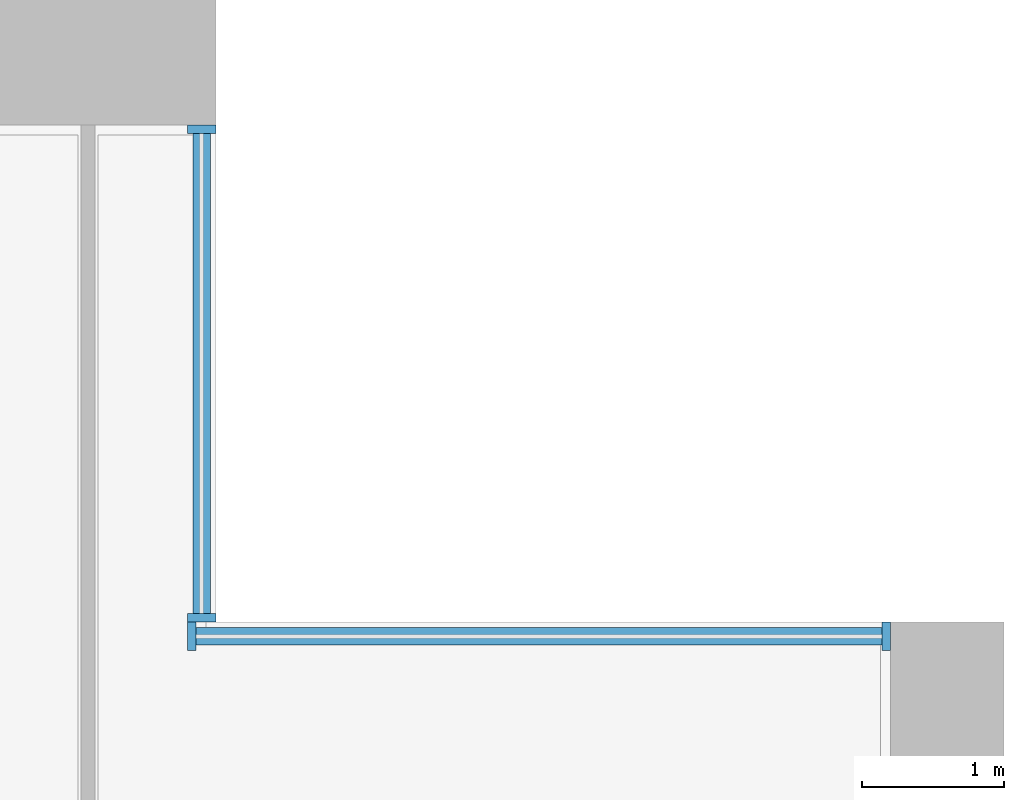
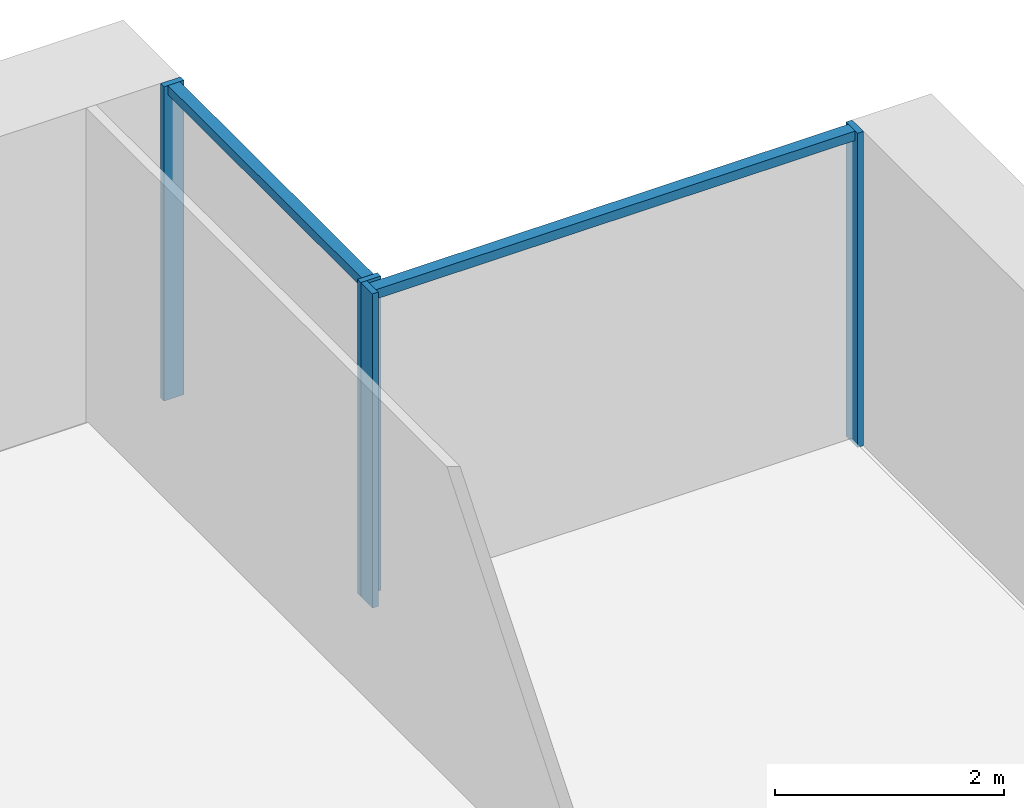
# One storey, part 6 of 18: 6 members, 2 elements without a shape of their own.
"""IFC4 building model written with IfcOpenShell, lengths in metres."""

from ifc_helpers import new_model, si_unit, direction, frame, origin, origin_2d, place, context, subcontext, project, spatial, rectangle, extrude, material, material_profile, profile_set, type_object, element, aggregate, save


model = new_model("IFC4")

# Units and contexts
model_context = context("Model", 3, precision=1e-05, world=origin(), true_north=direction((0.0, 1.0)))
body_context = subcontext(model_context, "Body", "Model", "MODEL_VIEW")
ifc_project = project(units=[si_unit("LENGTHUNIT", "METRE"), si_unit("AREAUNIT", "SQUARE_METRE"), si_unit("VOLUMEUNIT", "CUBIC_METRE"), si_unit("PLANEANGLEUNIT", "RADIAN"), si_unit("MASSUNIT", "GRAM", prefix="KILO")], contexts=[model_context])

# Site, building, storey
site_placement = place(None, origin())
site = spatial("IfcSite", under=ifc_project, at=site_placement, CompositionType="ELEMENT")
building_placement = place(site_placement, origin())
building = spatial("IfcBuilding", under=site, at=building_placement, Name="Calvaro Tower", CompositionType="ELEMENT")
storey_placement = place(building_placement, frame((0.0, 0.0, 41.25)))
storey = spatial("IfcBuildingStorey", under=building, at=storey_placement, Name="L09", CompositionType="ELEMENT", Elevation=41.25)

# Curtain wall, members
ifc_material_1 = material(Name="Anodised aluminium", Category="aluminium")
curtain_wall_type = type_object("IfcCurtainWallType", Name="Office curtain wall, lower zone", PredefinedType="NOTDEFINED", material=ifc_material_1)
curtain_wall_1_placement = place(storey_placement, origin())
curtain_wall_1 = element("IfcCurtainWall", 1, at=curtain_wall_1_placement, inside=storey, type_object=curtain_wall_type, Name="CW1 corner curtain wall", PredefinedType="NOTDEFINED")
ifc_material_2 = material(Name="Anodised aluminium", Category="aluminium")
ifc_material_profile_1 = material_profile(ifc_material_2, rectangle(XDim=0.199951171875, YDim=0.06005859375, at=origin_2d()), Name="Mullion S1 60 x 200")
ifc_profile_set_1 = profile_set([ifc_material_profile_1], Name="Anodised aluminium")
member_type_1 = type_object("IfcMemberType", Name="Mullion S1 60 x 200", PredefinedType="MULLION", material=ifc_profile_set_1)
member_1_placement = place(storey_placement, frame((72.35009765625, 41.530029296875, 0.0), z_axis=(0.0, 0.0, 1.0), x_axis=(-1.0, 0.0, 0.0)))
member_1 = element("IfcMember", 2, at=member_1_placement, type_object=member_type_1, Name="CW1 mullion 1", PredefinedType="MULLION", context=body_context, shape_type="SweptSolid", body=[
    extrude(rectangle(XDim=0.199951171875, YDim=0.06005859375, at=origin_2d()), origin(), (0.0, 0.0, 1.0), 3.35009765625),
])
member_2_placement = place(storey_placement, frame((72.35009765625, 44.969970703125, 0.0), z_axis=(0.0, 0.0, 1.0), x_axis=(-1.0, 0.0, 0.0)))
member_2 = element("IfcMember", 3, at=member_2_placement, type_object=member_type_1, Name="CW1 mullion 2", PredefinedType="MULLION", context=body_context, shape_type="SweptSolid", body=[
    extrude(rectangle(XDim=0.199951171875, YDim=0.06005859375, at=origin_2d()), origin(), (0.0, 0.0, 1.0), 3.35009765625),
])

curtain_wall_2_placement = place(storey_placement, origin())
curtain_wall_2 = element("IfcCurtainWall", 4, at=curtain_wall_2_placement, inside=storey, type_object=curtain_wall_type, Name="CW1 corner curtain wall", PredefinedType="NOTDEFINED")
member_3_placement = place(storey_placement, frame((72.280029296875, 41.39990234375, 0.0), z_axis=(0.0, 0.0, 1.0), x_axis=(0.0, 1.0, 0.0)))
member_3 = element("IfcMember", 5, at=member_3_placement, type_object=member_type_1, Name="CW1 mullion 1", PredefinedType="MULLION", context=body_context, shape_type="SweptSolid", body=[
    extrude(rectangle(XDim=0.199951171875, YDim=0.06005859375, at=origin_2d()), origin(), (0.0, 0.0, 1.0), 3.35009765625),
])
member_4_placement = place(storey_placement, frame((77.169921875, 41.39990234375, 0.0), z_axis=(0.0, 0.0, 1.0), x_axis=(0.0, 1.0, 0.0)))
member_4 = element("IfcMember", 6, at=member_4_placement, type_object=member_type_1, Name="CW1 mullion 2", PredefinedType="MULLION", context=body_context, shape_type="SweptSolid", body=[
    extrude(rectangle(XDim=0.199951171875, YDim=0.06005859375, at=origin_2d()), origin(), (0.0, 0.0, 1.0), 3.35009765625),
])

# Member
ifc_material_3 = material(Name="Anodised aluminium", Category="aluminium")
ifc_material_profile_2 = material_profile(ifc_material_3, rectangle(XDim=0.1201171875, YDim=0.10009765625, at=origin_2d()), Name="Transom S1 100 x 120")
ifc_profile_set_2 = profile_set([ifc_material_profile_2], Name="Anodised aluminium")
member_type_2 = type_object("IfcMemberType", Name="Transom S1 100 x 120", PredefinedType="USERDEFINED", material=ifc_profile_set_2)
member_5_placement = place(storey_placement, frame((72.35009765625, 41.56005859375, 3.300048828125), z_axis=(0.0, 1.0, 0.0), x_axis=(-1.0, 0.0, 0.0)))
member_5 = element("IfcMember", 7, at=member_5_placement, type_object=member_type_2, Name="CW1 transom 1.1", ObjectType="TRANSOM", PredefinedType="USERDEFINED", context=body_context, shape_type="SweptSolid", body=[
    extrude(rectangle(XDim=0.1201171875, YDim=0.10009765625, at=origin_2d()), origin(), (0.0, 0.0, 1.0), 3.3798828125),
])

aggregate(curtain_wall_1, [member_1, member_2, member_5])

member_6_placement = place(storey_placement, frame((72.31005859375, 41.39990234375, 3.300048828125), z_axis=(1.0, 0.0, 0.0), x_axis=(0.0, 1.0, 0.0)))
member_6 = element("IfcMember", 8, at=member_6_placement, type_object=member_type_2, Name="CW1 transom 1.1", ObjectType="TRANSOM", PredefinedType="USERDEFINED", context=body_context, shape_type="SweptSolid", body=[
    extrude(rectangle(XDim=0.1201171875, YDim=0.10009765625, at=origin_2d()), origin(), (0.0, 0.0, 1.0), 4.829833984375),
])

aggregate(curtain_wall_2, [member_3, member_4, member_6])

save(model, "model.ifc")
